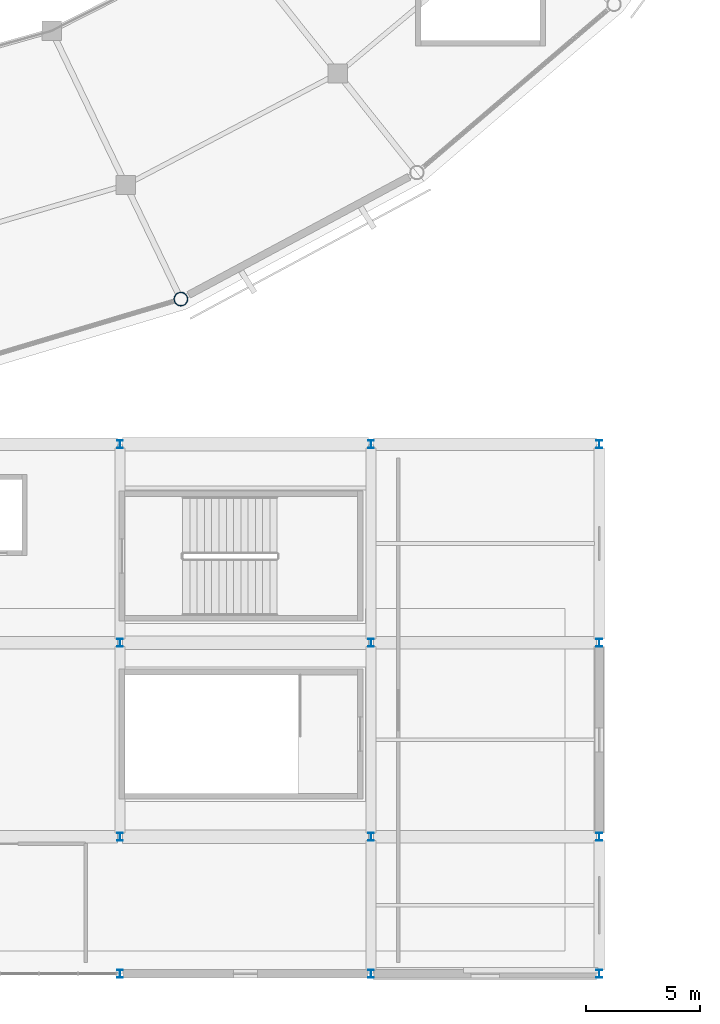
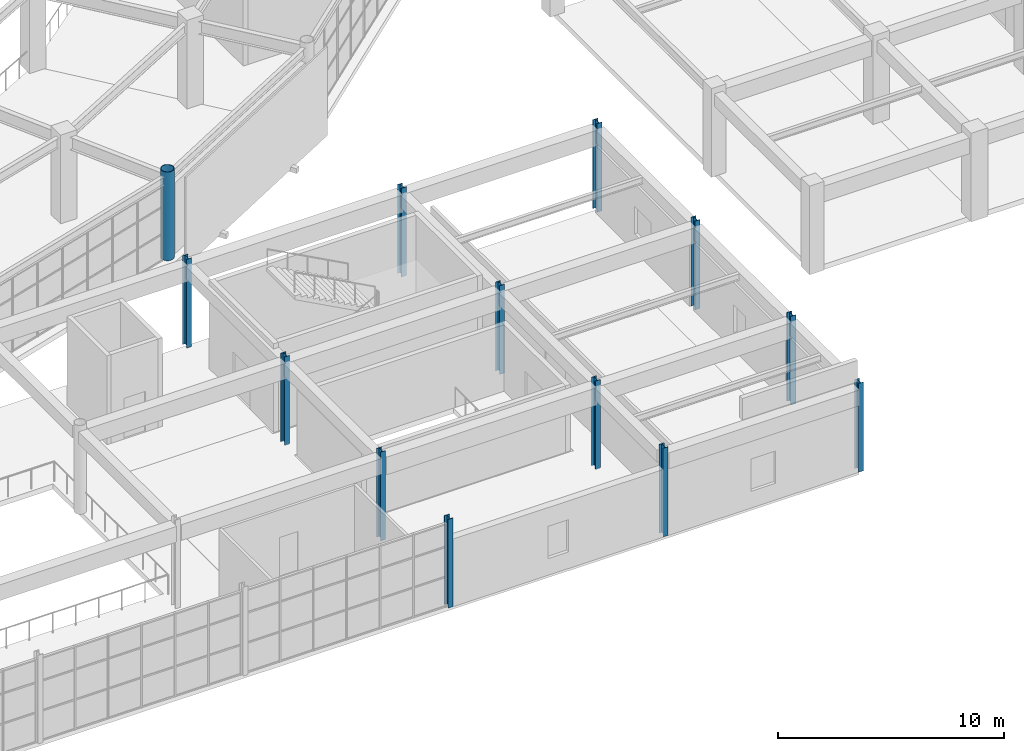
# One storey, part 5 of 112: 13 columns.
"""IFC4 building model written with IfcOpenShell, lengths in metres."""

from ifc_helpers import new_model, si_unit, direction, frame, origin, origin_2d, place, context, subcontext, project, spatial, hollow_circle, i_section, extrude, material, material_profile, profile_set, type_object, element, save


model = new_model("IFC4")

# Units and contexts
model_context = context("Model", 3, precision=1e-05, world=origin(), true_north=direction((0.0, 1.0)))
body_context = subcontext(model_context, "Body", "Model", "MODEL_VIEW")
ifc_project = project(units=[si_unit("LENGTHUNIT", "METRE"), si_unit("AREAUNIT", "SQUARE_METRE"), si_unit("VOLUMEUNIT", "CUBIC_METRE"), si_unit("PLANEANGLEUNIT", "RADIAN"), si_unit("MASSUNIT", "GRAM", prefix="KILO")], contexts=[model_context])

# Site, building, storey
site_placement = place(None, origin())
site = spatial("IfcSite", under=ifc_project, at=site_placement, CompositionType="ELEMENT")
building_placement = place(site_placement, origin())
building = spatial("IfcBuilding", under=site, at=building_placement, Name="Cuetzalor Civic Arena", CompositionType="ELEMENT")
storey_placement = place(building_placement, frame((0.0, 0.0, 11.39990234375)))
storey = spatial("IfcBuildingStorey", under=building, at=storey_placement, Name="L02", CompositionType="ELEMENT", Elevation=11.39990234375)

# Columns
ifc_material_1 = material(Name="Steel S355", Category="steel")
ifc_material_profile_1 = material_profile(ifc_material_1, hollow_circle(Radius=0.304931640625, WallThickness=0.02490234375, at=origin_2d()), Name="CHS 610x25")
ifc_profile_set_1 = profile_set([ifc_material_profile_1], Name="Steel S355")
column_type_1 = type_object("IfcColumnType", Name="SteelDomePylon_CHS610", PredefinedType="COLUMN", material=ifc_profile_set_1)
column_placement = place(storey_placement, frame((23.66845703125, -41.940185546875, 0.0), z_axis=(0.0, 0.0, 1.0), x_axis=(1.0, 0.0, 0.0)))
element("IfcColumn", 1, at=column_placement, inside=storey, type_object=column_type_1, Name="Column V1-PYL-24 L02", PredefinedType="COLUMN", context=body_context, shape_type="SweptSolid", body=[
    extrude(hollow_circle(Radius=0.304931640625, WallThickness=0.02490234375, at=origin_2d()), origin(), (0.0, 0.0, 1.0), 4.800048828125),
])
ifc_material_2 = material(Name="Steel S355", Category="steel")
ifc_material_profile_2 = material_profile(ifc_material_2, i_section(OverallWidth=0.257080078125, OverallDepth=0.363037109375, WebThickness=0.012939453125, FlangeThickness=0.021728515625, at=origin_2d()), Name="W360x122")
ifc_profile_set_2 = profile_set([ifc_material_profile_2], Name="Steel S355")
column_type_2 = type_object("IfcColumnType", Name="SteelMezzColumn_W360", PredefinedType="COLUMN", material=ifc_profile_set_2)
for number, where, z_axis, x_axis, name in (
    (2, (21.0, -71.5, 0.0), (0.0, 0.0, 1.0), (1.0, 0.0, 0.0), "Column V3-C-07-01 L02"),
    (3, (21.0, -65.5, 0.0), (0.0, 0.0, 1.0), (1.0, 0.0, 0.0), "Column V3-C-07-02 L02"),
    (4, (21.0, -57.0, 0.0), (0.0, 0.0, 1.0), (1.0, 0.0, 0.0), "Column V3-C-07-03 L02"),
    (5, (21.0, -48.300048828125, 0.0), (0.0, 0.0, 1.0), (1.0, 0.0, 0.0), "Column V3-C-07-04 L02"),
    (6, (32.0, -71.5, 0.0), (0.0, 0.0, 1.0), (1.0, 0.0, 0.0), "Column V3-C-08-01 L02"),
    (7, (32.0, -65.5, 0.0), (0.0, 0.0, 1.0), (1.0, 0.0, 0.0), "Column V3-C-08-02 L02"),
    (8, (32.0, -57.0, 0.0), (0.0, 0.0, 1.0), (1.0, 0.0, 0.0), "Column V3-C-08-03 L02"),
    (9, (32.0, -48.300048828125, 0.0), (0.0, 0.0, 1.0), (1.0, 0.0, 0.0), "Column V3-C-08-04 L02"),
    (10, (42.0, -71.5, 0.0), (0.0, 0.0, 1.0), (1.0, 0.0, 0.0), "Column V3-C-09-01 L02"),
    (11, (42.0, -65.5, 0.0), (0.0, 0.0, 1.0), (1.0, 0.0, 0.0), "Column V3-C-09-02 L02"),
    (12, (42.0, -57.0, 0.0), (0.0, 0.0, 1.0), (1.0, 0.0, 0.0), "Column V3-C-09-03 L02"),
    (13, (42.0, -48.300048828125, 0.0), (0.0, 0.0, 1.0), (1.0, 0.0, 0.0), "Column V3-C-09-04 L02"),
):
    element("IfcColumn", number, at=place(storey_placement, frame(where, z_axis=z_axis, x_axis=x_axis)), inside=storey, type_object=column_type_2, Name=name, PredefinedType="COLUMN", context=body_context, shape_type="SweptSolid", body=[
        extrude(i_section(OverallWidth=0.257080078125, OverallDepth=0.363037109375, WebThickness=0.012939453125, FlangeThickness=0.021728515625, at=origin_2d()), origin(), (0.0, 0.0, 1.0), 4.800048828125),
    ])

save(model, "model.ifc")
